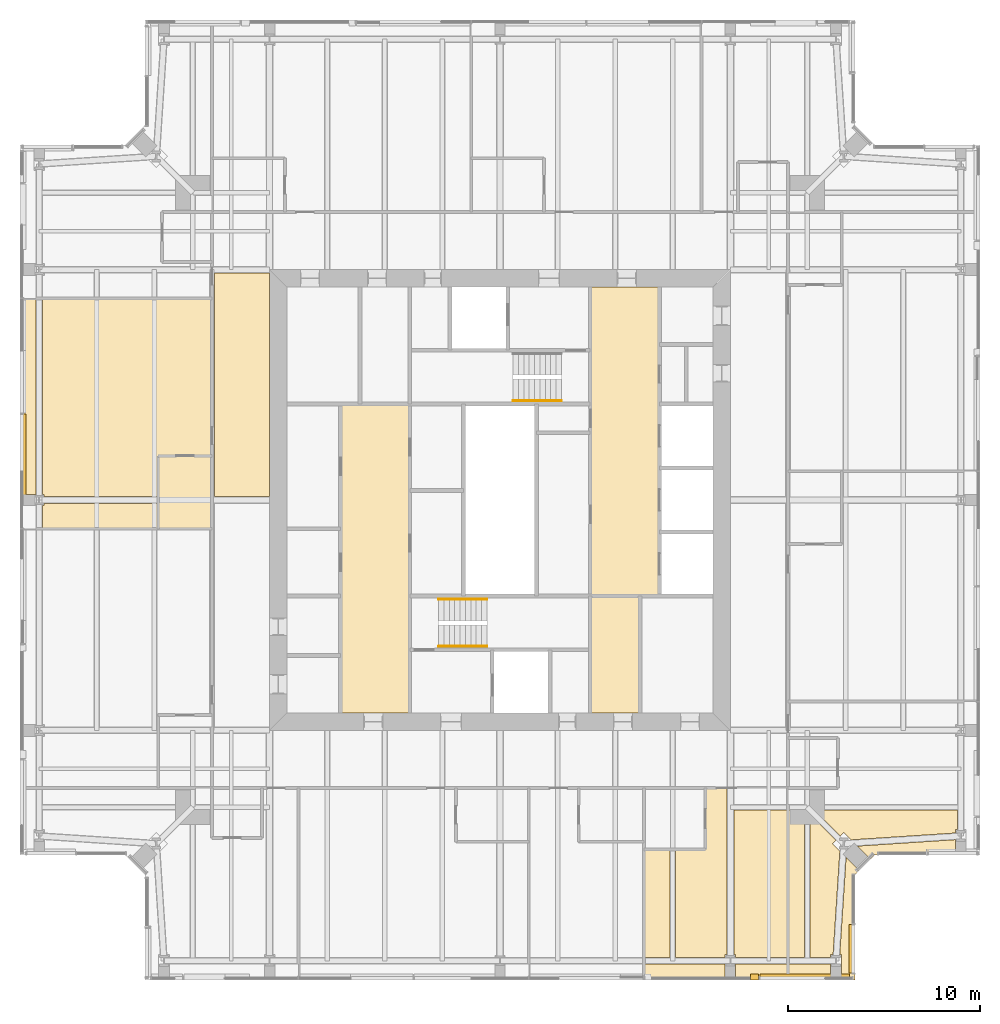
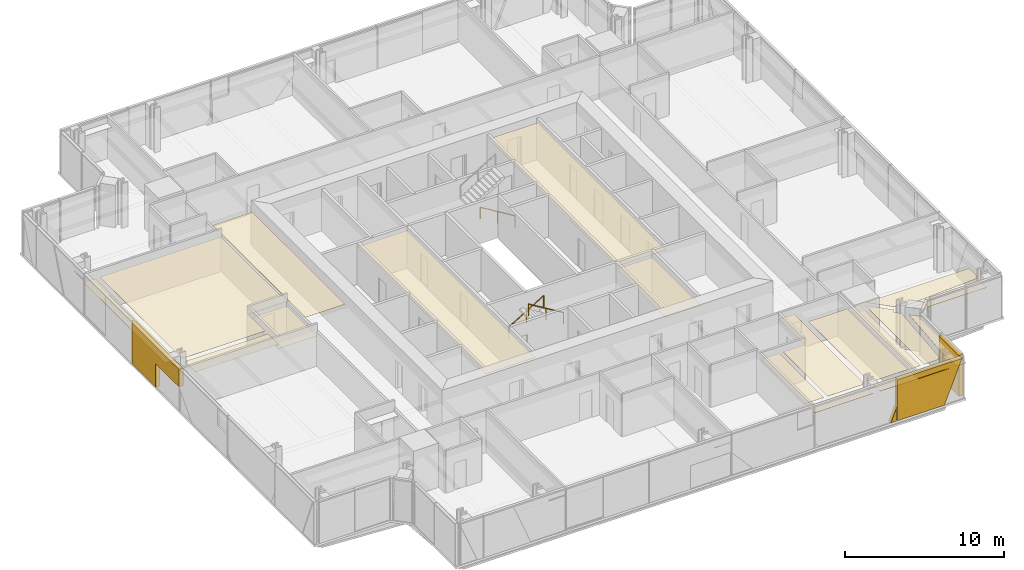
# One storey, part 16 of 20: 23 coverings, 3 railings.
"""IFC4 building model written with IfcOpenShell, lengths in metres."""

import ifcopenshell
import ifcopenshell.guid

model = None  # the IFC model being written
_history = None  # IfcOwnerHistory: only IFC2X3 demands one
_inside = {}  # id of a spatial element -> (the spatial element, [elements in it])
_under = {}  # id of a project, library or spatial element -> (it, [spatial elements below it])
_declared = {}  # id of a project -> (the project, [libraries it declares])
_typed = {}  # id of a type object -> (the type object, [elements of that type])
_made_of = {}  # id of a material, layer set ... -> (it, [elements and type objects made of it])


def new_model(schema):
    """Start an empty IFC model of exactly this schema.

    Asked for "IFC4X3", IfcOpenShell would pick the latest addendum, in which some entities
    have other attributes; the version numbers below select the first issue.
    IFC2X3 requires an IfcOwnerHistory on every rooted entity: one is made here for all.
    """
    global model, _history
    if schema == "IFC4X3":
        model = ifcopenshell.file(schema_version=(4, 3, 0, 0))
    else:
        model = ifcopenshell.file(schema=schema)
    _inside.clear()
    _under.clear()
    _declared.clear()
    _typed.clear()
    _made_of.clear()
    _history = None
    if model.schema == "IFC2X3":
        org = make("IfcOrganization", Name="unknown")
        user = make(
            "IfcPersonAndOrganization",
            ThePerson=make("IfcPerson", FamilyName="unknown"),
            TheOrganization=org,
        )
        app = make(
            "IfcApplication",
            ApplicationDeveloper=org,
            Version="unknown",
            ApplicationFullName="unknown",
            ApplicationIdentifier="unknown",
        )
        _history = make(
            "IfcOwnerHistory",
            OwningUser=user,
            OwningApplication=app,
            ChangeAction="ADDED",
            CreationDate=0,
        )
    return model


def make(cls, **values):
    """One entity of the class cls with the attributes given. An attribute that is None is left unset."""
    return model.create_entity(
        cls, **{name: value for name, value in values.items() if value is not None}
    )


def rooted(cls, **values):
    """An entity with a GlobalId (a new one), such as an element, a storey or a relation."""
    return make(cls, GlobalId=ifcopenshell.guid.new(), OwnerHistory=_history, **values)


def si_unit(unit_type, name, prefix=None):
    """IfcSIUnit, for example si_unit("LENGTHUNIT", "METRE", prefix="MILLI")."""
    return make("IfcSIUnit", UnitType=unit_type, Prefix=prefix, Name=name)


def assignment(units):
    """IfcUnitAssignment: the units of a project."""
    return None if units is None else make("IfcUnitAssignment", Units=units)


def point(xyz):
    """IfcCartesianPoint."""
    return None if xyz is None else make("IfcCartesianPoint", Coordinates=xyz)


def direction(xyz):
    """IfcDirection."""
    return None if xyz is None else make("IfcDirection", DirectionRatios=xyz)


def frame(location, z_axis=None, x_axis=None):
    """IfcAxis2Placement3D, a coordinate frame: its origin and axes. An axis left out is left unset."""
    return make(
        "IfcAxis2Placement3D",
        Location=point(location),
        Axis=direction(z_axis),
        RefDirection=direction(x_axis),
    )


def frame_2d(location, x_axis=None):
    """IfcAxis2Placement2D, a coordinate frame in the plane: its origin and x axis."""
    return make(
        "IfcAxis2Placement2D", Location=point(location), RefDirection=direction(x_axis)
    )


def origin():
    """The frame at (0, 0, 0) with its axes left unset."""
    return frame((0.0, 0.0, 0.0))


def origin_2d():
    """The frame at (0, 0) in the plane with its x axis left unset."""
    return frame_2d((0.0, 0.0))


def place(relative_to, where):
    """IfcLocalPlacement: puts the frame where relative to a parent placement (None: the world)."""
    return make(
        "IfcLocalPlacement", PlacementRelTo=relative_to, RelativePlacement=where
    )


def context(
    kind, dimensions, precision=None, world=None, true_north=None, identifier=None
):
    """IfcGeometricRepresentationContext, for example the 3D "Model" context."""
    return make(
        "IfcGeometricRepresentationContext",
        ContextIdentifier=identifier,
        ContextType=kind,
        CoordinateSpaceDimension=dimensions,
        Precision=precision,
        WorldCoordinateSystem=world,
        TrueNorth=true_north,
    )


def subcontext(parent, identifier, kind, view, scale=None):
    """IfcGeometricRepresentationSubContext, for example "Body" below "Model"."""
    return make(
        "IfcGeometricRepresentationSubContext",
        ContextIdentifier=identifier,
        ContextType=kind,
        ParentContext=parent,
        TargetScale=scale,
        TargetView=view,
    )


def project(units=None, contexts=None):
    """IfcProject with its units and contexts."""
    return rooted(
        "IfcProject",
        Name="project",
        RepresentationContexts=contexts,
        UnitsInContext=assignment(units),
    )


def spatial(cls, under=None, at=None, **own):
    """A site, building, storey or space (cls), placed at a placement, below another one or the project."""
    s = rooted(cls, ObjectPlacement=at, **own)
    if under is not None:
        _under.setdefault(under.id(), (under, []))[1].append(s)
    return s


def polyline(points):
    """IfcPolyline through the points."""
    return make("IfcPolyline", Points=[point(p) for p in points])


def profile(cls, at=None, kind="AREA", **sizes):
    """A parametric profile (cls). Its sizes go by their IFC names, for example OverallWidth=200.0."""
    return make(cls, ProfileType=kind, Position=at, **sizes)


def circle(**sizes):
    """IfcCircleProfileDef."""
    return profile("IfcCircleProfileDef", **sizes)


def outline(outer, holes=None, kind="AREA"):
    """IfcArbitraryClosedProfileDef: a profile drawn as a closed curve; with holes, ...WithVoids."""
    if holes is None:
        return make("IfcArbitraryClosedProfileDef", ProfileType=kind, OuterCurve=outer)
    return make(
        "IfcArbitraryProfileDefWithVoids",
        ProfileType=kind,
        OuterCurve=outer,
        InnerCurves=holes,
    )


def extrude(swept, where, along, depth):
    """IfcExtrudedAreaSolid: the profile swept, set in the frame where, extruded along a direction by depth."""
    return make(
        "IfcExtrudedAreaSolid",
        SweptArea=swept,
        Position=where,
        ExtrudedDirection=direction(along),
        Depth=depth,
    )


def shape(context_of_items, identifier, shape_type, items):
    """IfcShapeRepresentation: the items that make up one representation, for example the "Body"."""
    return make(
        "IfcShapeRepresentation",
        ContextOfItems=context_of_items,
        RepresentationIdentifier=identifier,
        RepresentationType=shape_type,
        Items=items,
    )


def material(Name=None, Category=None):
    """IfcMaterial."""
    return make("IfcMaterial", Name=Name, Category=Category)


def layer(
    of_material, thickness, ventilated=None, Name=None, Category=None, Priority=None
):
    """IfcMaterialLayer: one layer of a wall or slab, of a material (None: an air gap)."""
    return make(
        "IfcMaterialLayer",
        Material=of_material,
        LayerThickness=thickness,
        IsVentilated=ventilated,
        Name=Name,
        Category=Category,
        Priority=Priority,
    )


def layer_set(layers, Name=None):
    """IfcMaterialLayerSet."""
    return make("IfcMaterialLayerSet", MaterialLayers=layers, LayerSetName=Name)


def made_of(thing, what):
    """Note that an element or type object is made of a material, layer set ...; save() writes the relation."""
    if what is not None:
        _made_of.setdefault(what.id(), (what, []))[1].append(thing)
    return thing


def type_object(cls, material=None, **own):
    """A type object (cls), such as IfcWallType, which elements share."""
    return made_of(rooted(cls, **own), material)


def element(
    cls,
    number,
    at=None,
    inside=None,
    cuts=None,
    type_object=None,
    material=None,
    context=None,
    identifier="Body",
    shape_type=None,
    held_by="IfcProductDefinitionShape",
    body=None,
    shapes=None,
    **own,
):
    """One element of the class cls, such as IfcWall. Its Tag is "e" and its number.

    at: its placement. inside: the storey or other place that contains it. cuts: it is an
    opening in that element (IfcRelVoidsElement). A single representation is given by context,
    identifier, shape_type and body (its items); several are given by shapes. held_by: the class
    of the entity that holds the representations. save() writes the other relations.
    """
    e = rooted(cls, Tag="e%d" % number, ObjectPlacement=at, **own)
    if body is not None:
        shapes = [shape(context, identifier, shape_type, body)]
    if shapes is not None:
        e.Representation = make(held_by, Representations=shapes)
    if inside is not None:
        _inside.setdefault(inside.id(), (inside, []))[1].append(e)
    if cuts is not None:
        rooted(
            "IfcRelVoidsElement", RelatingBuildingElement=cuts, RelatedOpeningElement=e
        )
    if type_object is not None:
        _typed.setdefault(type_object.id(), (type_object, []))[1].append(e)
    return made_of(e, material)


def aggregate(whole, parts):
    """IfcRelAggregates: a whole, such as a stair, and the parts it consists of."""
    return rooted("IfcRelAggregates", RelatingObject=whole, RelatedObjects=parts)


def save(model, path):
    """Write the relations noted so far, then the file.

    IfcRelAggregates (storeys below a building ...), IfcRelContainedInSpatialStructure (elements
    in a storey), IfcRelDefinesByType, IfcRelAssociatesMaterial and IfcRelDeclares: one each for
    every whole, place, type object, material and project.
    """
    for whole, parts in _under.values():
        aggregate(whole, parts)
    for where, things in _inside.values():
        rooted(
            "IfcRelContainedInSpatialStructure",
            RelatedElements=things,
            RelatingStructure=where,
        )
    for kind, things in _typed.values():
        rooted("IfcRelDefinesByType", RelatedObjects=things, RelatingType=kind)
    for what, things in _made_of.values():
        rooted("IfcRelAssociatesMaterial", RelatedObjects=things, RelatingMaterial=what)
    for by, libraries in _declared.values():
        rooted("IfcRelDeclares", RelatingContext=by, RelatedDefinitions=libraries)
    model.write(path)


model = new_model("IFC4")

# Units and contexts
model_context = context("Model", 3, precision=1e-05, world=origin(), true_north=direction((0.0, 1.0)))
body_context = subcontext(model_context, "Body", "Model", "MODEL_VIEW")
ifc_project = project(units=[si_unit("LENGTHUNIT", "METRE"), si_unit("AREAUNIT", "SQUARE_METRE"), si_unit("VOLUMEUNIT", "CUBIC_METRE"), si_unit("PLANEANGLEUNIT", "RADIAN"), si_unit("MASSUNIT", "GRAM", prefix="KILO")], contexts=[model_context])

# Site, building, storey
site_placement = place(None, origin())
site = spatial("IfcSite", under=ifc_project, at=site_placement, CompositionType="ELEMENT")
building_placement = place(site_placement, origin())
building = spatial("IfcBuilding", under=site, at=building_placement, Name="Fenwick Lantern Interchange", CompositionType="ELEMENT")
storey_placement = place(building_placement, frame((0.0, 0.0, 276.39990234375)))
storey = spatial("IfcBuildingStorey", under=building, at=storey_placement, Name="L66", CompositionType="ELEMENT", Elevation=276.39990234375)

# Coverings
ifc_material_1 = material(Name="Granite cladding, warm grey flamed finish, on aluminium carrier frame", Category="masonry")
ifc_layer_1 = layer(ifc_material_1, 0.300048828125)
ifc_layer_set_1 = layer_set([ifc_layer_1], Name="BRACE CASING PANEL 300")
covering_type_1 = type_object("IfcCoveringType", Name="BRACE CASING PANEL 300", PredefinedType="CLADDING", material=ifc_layer_set_1)
covering_1_placement = place(storey_placement, frame((6.60009765625, 0.10009765625, 0.0), z_axis=(0.0, 0.0, 1.0), x_axis=(1.0, 0.0, 0.0)))
element("IfcCovering", 1, at=covering_1_placement, inside=storey, type_object=covering_type_1, Name="Brace casing 01 bay 05b", PredefinedType="CLADDING", context=body_context, shape_type="SweptSolid", body=[
    extrude(outline(polyline([(31.453369140625, 0.0), (31.8701171875, 0.0), (31.8701171875, 1.030029296875), (31.453369140625, 0.0)])), frame((0.0, 0.2099609375, 0.0), z_axis=(0.0, -1.0, 0.0), x_axis=(1.0, 0.0, 0.0)), (0.0, 0.0, 1.0), 0.300048828125),
])
covering_2_placement = place(storey_placement, frame((6.60009765625, 0.10009765625, 0.0), z_axis=(0.0, 0.0, 1.0), x_axis=(1.0, 0.0, 0.0)))
element("IfcCovering", 2, at=covering_2_placement, inside=storey, type_object=covering_type_1, Name="Brace casing 01 bay 06a", PredefinedType="CLADDING", context=body_context, shape_type="SweptSolid", body=[
    extrude(outline(polyline([(31.929931640625, 0.0), (35.336669921875, 0.0), (36.610595703125, 3.150146484375), (31.929931640625, 3.150146484375), (31.929931640625, 0.0)])), frame((0.0, 0.2099609375, 0.0), z_axis=(0.0, -1.0, 0.0), x_axis=(1.0, 0.0, 0.0)), (0.0, 0.0, 1.0), 0.300048828125),
])
covering_3_placement = place(storey_placement, frame((43.39990234375, 0.10009765625, 0.0), z_axis=(0.0, 0.0, 1.0), x_axis=(0.0, 1.0, 0.0)))
element("IfcCovering", 3, at=covering_3_placement, inside=storey, type_object=covering_type_1, Name="Brace casing 02 bay 00a", PredefinedType="CLADDING", context=body_context, shape_type="SweptSolid", body=[
    extrude(outline(polyline([(0.260009765625, 0.0), (2.790771484375, 0.0), (2.790771484375, 3.150146484375), (0.260009765625, 3.150146484375), (0.260009765625, 0.0)])), frame((0.0, 0.2099609375, 0.0), z_axis=(0.0, -1.0, 0.0), x_axis=(1.0, 0.0, 0.0)), (0.0, 0.0, 1.0), 0.300048828125),
])
covering_4_placement = place(storey_placement, frame((0.10009765625, 43.39990234375, 0.0), z_axis=(0.0, 0.0, 1.0), x_axis=(0.0, -1.0, 0.0)))
element("IfcCovering", 4, at=covering_4_placement, inside=storey, type_object=covering_type_1, Name="Brace casing 13 bay 03a", PredefinedType="CLADDING", context=body_context, shape_type="SweptSolid", body=[
    extrude(outline(polyline([(13.929931640625, 0.0), (16.93017578125, 0.0), (16.93017578125, 1.8076171875), (19.8701171875, 1.8076171875), (19.8701171875, 3.150146484375), (13.929931640625, 3.150146484375), (13.929931640625, 0.0)])), frame((0.0, 0.2099609375, 0.0), z_axis=(0.0, -1.0, 0.0), x_axis=(1.0, 0.0, 0.0)), (0.0, 0.0, 1.0), 0.300048828125),
])

# Railings
ifc_material_2 = material(Name="Stainless steel handrail", Category="steel")
railing_type = type_object("IfcRailingType", Name="HANDRAIL 900", PredefinedType="HANDRAIL", material=ifc_material_2)
railing_placement = place(storey_placement, frame((21.800048828125, 19.825927734375, 0.170166015625)))
element("IfcRailing", 5, at=railing_placement, inside=storey, type_object=railing_type, Name="L66/STAIR/ST1/HR1", PredefinedType="HANDRAIL", context=body_context, shape_type="SweptSolid", body=[
    extrude(circle(Radius=0.02392578125, at=origin_2d()), frame((0.0, 0.0, 0.8759765625), z_axis=(0.85478489116, 0.0, 0.518982456201), x_axis=(0.0, 1.0, 0.0)), (0.0, 0.0, 1.0), 2.9482421875),
    extrude(circle(Radius=0.02099609375, at=origin_2d()), origin(), (0.0, 0.0, 1.0), 0.851806640625),
    extrude(circle(Radius=0.02099609375, at=origin_2d()), frame((1.260009765625, 0.0, 0.76513671875)), (0.0, 0.0, 1.0), 0.851806640625),
    extrude(circle(Radius=0.02099609375, at=origin_2d()), frame((2.52001953125, 0.0, 1.530029296875)), (0.0, 0.0, 1.0), 0.851806640625),
])
for number, where, name in (
    (6, (24.320068359375, 17.3740234375, 1.8701171875), "L66/STAIR/ST1/HR2"),
    (7, (28.199951171875, 30.174072265625, 0.170166015625), "L66/STAIR/ST2/HR1"),
):
    element("IfcRailing", number, at=place(storey_placement, frame(where)), inside=storey, type_object=railing_type, Name=name, PredefinedType="HANDRAIL", context=body_context, shape_type="SweptSolid", body=[
        extrude(circle(Radius=0.02392578125, at=origin_2d()), frame((0.0, 0.0, 0.8759765625), z_axis=(-0.85478489116, 0.0, 0.518982456201), x_axis=(0.0, -1.0, 0.0)), (0.0, 0.0, 1.0), 2.9482421875),
        extrude(circle(Radius=0.02099609375, at=origin_2d()), origin(), (0.0, 0.0, 1.0), 0.851806640625),
        extrude(circle(Radius=0.02099609375, at=origin_2d()), frame((-1.260009765625, 0.0, 0.76513671875)), (0.0, 0.0, 1.0), 0.851806640625),
        extrude(circle(Radius=0.02099609375, at=origin_2d()), frame((-2.52001953125, 0.0, 1.530029296875)), (0.0, 0.0, 1.0), 0.851806640625),
    ])

# Coverings
ifc_material_3 = material(Name="Moisture resistant gypsum board on suspended frame, painted")
ifc_layer_2 = layer(ifc_material_3, 0.014892578125)
ifc_layer_set_2 = layer_set([ifc_layer_2], Name="MOISTURE RESISTANT CEILING 15")
covering_type_2 = type_object("IfcCoveringType", Name="MOISTURE RESISTANT CEILING 15", PredefinedType="CEILING", material=ifc_layer_set_2)
covering_5_placement = place(storey_placement, frame((0.0, 0.0, 2.60009765625)))
element("IfcCovering", 8, at=covering_5_placement, inside=storey, type_object=covering_type_2, Name="Men's WC ceiling", PredefinedType="CEILING", context=body_context, shape_type="SweptSolid", body=[
    extrude(outline(polyline([(29.699951171875, 13.89990234375), (32.300048828125, 13.89990234375), (32.300048828125, 20.0), (29.699951171875, 20.0), (29.699951171875, 13.89990234375)])), origin(), (0.0, 0.0, 1.0), 0.014892578125),
])
covering_6_placement = place(storey_placement, frame((0.0, 0.0, 2.235107421875)))
element("IfcCovering", 9, at=covering_6_placement, inside=storey, type_object=covering_type_2, Name="En-suite 6612 ceiling", PredefinedType="CEILING", context=body_context, shape_type="SweptSolid", body=[
    extrude(outline(polyline([(7.199951171875, 27.300048828125), (7.199951171875, 23.5), (10.0, 23.5), (10.0, 27.300048828125), (7.199951171875, 27.300048828125)])), origin(), (0.0, 0.0, 1.0), 0.01513671875),
])
ifc_material_4 = material(Name="Gypsum plasterboard on suspended frame, painted")
ifc_layer_3 = layer(ifc_material_4, 0.014892578125)
ifc_layer_set_3 = layer_set([ifc_layer_3], Name="PLASTERBOARD CEILING 15")
covering_type_3 = type_object("IfcCoveringType", Name="PLASTERBOARD CEILING 15", PredefinedType="CEILING", material=ifc_layer_set_3)
covering_7_placement = place(storey_placement, frame((0.0, 0.0, 2.800048828125)))
element("IfcCovering", 10, at=covering_7_placement, inside=storey, type_object=covering_type_3, Name="Lift lobby ceiling", PredefinedType="CEILING", context=body_context, shape_type="SweptSolid", body=[
    extrude(outline(polyline([(16.699951171875, 13.89990234375), (20.300048828125, 13.89990234375), (20.300048828125, 30.0), (16.699951171875, 30.0), (16.699951171875, 13.89990234375)])), origin(), (0.0, 0.0, 1.0), 0.01513671875),
])
covering_8_placement = place(storey_placement, frame((0.0, 0.0, 2.800048828125)))
element("IfcCovering", 11, at=covering_8_placement, inside=storey, type_object=covering_type_3, Name="Lift lobby ceiling", PredefinedType="CEILING", context=body_context, shape_type="SweptSolid", body=[
    extrude(outline(polyline([(33.300048828125, 36.10009765625), (29.699951171875, 36.10009765625), (29.699951171875, 20.0), (33.300048828125, 20.0), (33.300048828125, 36.10009765625)])), origin(), (0.0, 0.0, 1.0), 0.01513671875),
])
covering_9_placement = place(storey_placement, frame((0.0, 0.0, 2.60009765625)))
element("IfcCovering", 12, at=covering_9_placement, inside=storey, type_object=covering_type_3, Name="Corridor ceiling", PredefinedType="CEILING", context=body_context, shape_type="SweptSolid", body=[
    extrude(outline(polyline([(13.0, 25.175048828125), (13.0, 36.833984375), (10.134521484375, 36.833984375), (10.134521484375, 25.175048828125), (13.0, 25.175048828125)])), origin(), (0.0, 0.0, 1.0), 0.014892578125),
])
covering_10_placement = place(storey_placement, frame((0.0, 0.0, 2.7001953125)))
element("IfcCovering", 13, at=covering_10_placement, inside=storey, type_object=covering_type_3, Name="Guest room 6604 ceiling", PredefinedType="CEILING", context=body_context, shape_type="SweptSolid", body=[
    extrude(outline(polyline([(37.27099609375, 1.3154296875), (37.27099609375, 1.17236328125), (40.0, 1.17236328125), (40.0, 8.865478515625), (37.183837890625, 8.865478515625), (37.183837890625, 1.3154296875), (37.27099609375, 1.3154296875)])), origin(), (0.0, 0.0, 1.0), 0.014892578125),
])
covering_11_placement = place(storey_placement, frame((0.0, 0.0, 2.7001953125)))
element("IfcCovering", 14, at=covering_11_placement, inside=storey, type_object=covering_type_3, Name="Guest room 6604 ceiling", PredefinedType="CEILING", context=body_context, shape_type="SweptSolid", body=[
    extrude(outline(polyline([(36.72900390625, 1.3154296875), (36.816162109375, 1.3154296875), (36.816162109375, 10.0), (35.699951171875, 10.0), (35.699951171875, 6.800048828125), (34.134521484375, 6.800048828125), (34.134521484375, 1.17236328125), (36.72900390625, 1.17236328125), (36.72900390625, 1.3154296875)])), origin(), (0.0, 0.0, 1.0), 0.014892578125),
])
covering_12_placement = place(storey_placement, frame((0.0, 0.0, 2.7001953125)))
element("IfcCovering", 15, at=covering_12_placement, inside=storey, type_object=covering_type_3, Name="Guest room 6604 ceiling", PredefinedType="CEILING", context=body_context, shape_type="SweptSolid", body=[
    extrude(outline(polyline([(32.5, 6.800048828125), (32.5, 1.17236328125), (33.865478515625, 1.17236328125), (33.865478515625, 6.800048828125), (32.5, 6.800048828125)])), origin(), (0.0, 0.0, 1.0), 0.014892578125),
])
covering_13_placement = place(storey_placement, frame((0.0, 0.0, 2.7001953125)))
element("IfcCovering", 16, at=covering_13_placement, inside=storey, type_object=covering_type_3, Name="Guest room 6604 ceiling", PredefinedType="CEILING", context=body_context, shape_type="SweptSolid", body=[
    extrude(outline(polyline([(36.72900390625, 0.0), (36.72900390625, 0.82763671875), (32.5, 0.82763671875), (32.5, 0.0), (36.72900390625, 0.0)])), origin(), (0.0, 0.0, 1.0), 0.014892578125),
])
covering_14_placement = place(storey_placement, frame((0.0, 0.0, 2.7001953125)))
element("IfcCovering", 17, at=covering_14_placement, inside=storey, type_object=covering_type_3, Name="Guest room 6604 ceiling", PredefinedType="CEILING", context=body_context, shape_type="SweptSolid", body=[
    extrude(outline(polyline([(37.27099609375, 0.0), (40.0, 0.0), (40.0, 0.82763671875), (37.27099609375, 0.82763671875), (37.27099609375, 0.0)])), origin(), (0.0, 0.0, 1.0), 0.014892578125),
])
covering_15_placement = place(storey_placement, frame((0.0, 0.0, 2.7001953125)))
element("IfcCovering", 18, at=covering_15_placement, inside=storey, type_object=covering_type_3, Name="Guest suite 6605 ceiling", PredefinedType="CEILING", context=body_context, shape_type="SweptSolid", body=[
    extrude(outline(polyline([(48.72265625, 7.83447265625), (48.82763671875, 7.83447265625), (48.82763671875, 8.865478515625), (41.351318359375, 8.865478515625), (42.71728515625, 7.499755859375), (42.89990234375, 7.6826171875), (43.284423828125, 7.298095703125), (48.72265625, 7.654541015625), (48.72265625, 7.83447265625)])), origin(), (0.0, 0.0, 1.0), 0.014892578125),
])
covering_16_placement = place(storey_placement, frame((0.0, 0.0, 2.7001953125)))
element("IfcCovering", 19, at=covering_16_placement, inside=storey, type_object=covering_type_3, Name="Guest suite 6605 ceiling", PredefinedType="CEILING", context=body_context, shape_type="SweptSolid", body=[
    extrude(outline(polyline([(42.22265625, 1.33447265625), (42.34912109375, 1.33447265625), (42.701904296875, 6.715576171875), (42.3173828125, 7.10009765625), (42.500244140625, 7.28271484375), (41.134521484375, 8.648681640625), (41.134521484375, 1.17236328125), (42.22265625, 1.17236328125), (42.22265625, 1.33447265625)])), origin(), (0.0, 0.0, 1.0), 0.014892578125),
])
covering_17_placement = place(storey_placement, frame((0.0, 0.0, 2.7001953125)))
element("IfcCovering", 20, at=covering_17_placement, inside=storey, type_object=covering_type_3, Name="Guest suite 6605 ceiling", PredefinedType="CEILING", context=body_context, shape_type="SweptSolid", body=[
    extrude(outline(polyline([(40.0, 8.865478515625), (40.0, 1.17236328125), (40.865478515625, 1.17236328125), (40.865478515625, 8.865478515625), (40.0, 8.865478515625)])), origin(), (0.0, 0.0, 1.0), 0.014892578125),
])
covering_18_placement = place(storey_placement, frame((0.0, 0.0, 2.7001953125)))
element("IfcCovering", 21, at=covering_18_placement, inside=storey, type_object=covering_type_3, Name="Guest suite 6605 ceiling", PredefinedType="CEILING", context=body_context, shape_type="SweptSolid", body=[
    extrude(outline(polyline([(42.69482421875, 1.33447265625), (42.77734375, 1.33447265625), (42.77734375, 0.0), (43.5, 0.0), (43.5, 5.5), (43.708740234375, 5.708740234375), (43.0263671875, 6.39111328125), (42.69482421875, 1.33447265625)])), origin(), (0.0, 0.0, 1.0), 0.014892578125),
])
covering_19_placement = place(storey_placement, frame((0.0, 0.0, 2.7001953125)))
element("IfcCovering", 22, at=covering_19_placement, inside=storey, type_object=covering_type_3, Name="Guest suite 6605 ceiling", PredefinedType="CEILING", context=body_context, shape_type="SweptSolid", body=[
    extrude(outline(polyline([(48.72265625, 6.5), (48.72265625, 7.30908203125), (43.60888671875, 6.9736328125), (44.291259765625, 6.291259765625), (44.5, 6.5), (48.72265625, 6.5)])), origin(), (0.0, 0.0, 1.0), 0.014892578125),
])
covering_20_placement = place(storey_placement, frame((0.0, 0.0, 2.7001953125)))
element("IfcCovering", 23, at=covering_20_placement, inside=storey, type_object=covering_type_3, Name="Guest suite 6605 ceiling", PredefinedType="CEILING", context=body_context, shape_type="SweptSolid", body=[
    extrude(outline(polyline([(42.22265625, 0.0), (42.22265625, 0.82763671875), (40.0, 0.82763671875), (40.0, 0.0), (42.22265625, 0.0)])), origin(), (0.0, 0.0, 1.0), 0.014892578125),
])
covering_21_placement = place(storey_placement, frame((0.0, 0.0, 2.572998046875)))
element("IfcCovering", 24, at=covering_21_placement, inside=storey, type_object=covering_type_3, Name="Guest suite 6612 ceiling", PredefinedType="CEILING", context=body_context, shape_type="SweptSolid", body=[
    extrude(outline(polyline([(1.26220703125, 25.28759765625), (1.26220703125, 25.175048828125), (7.199951171875, 25.175048828125), (7.199951171875, 27.300048828125), (10.0, 27.300048828125), (10.0, 35.5), (1.17236328125, 35.5), (1.17236328125, 25.28759765625), (1.26220703125, 25.28759765625)])), origin(), (0.0, 0.0, 1.0), 0.014892578125),
])
covering_22_placement = place(storey_placement, frame((0.0, 0.0, 2.572998046875)))
element("IfcCovering", 25, at=covering_22_placement, inside=storey, type_object=covering_type_3, Name="Guest suite 6612 ceiling", PredefinedType="CEILING", context=body_context, shape_type="SweptSolid", body=[
    extrude(outline(polyline([(0.0, 25.28759765625), (0.82763671875, 25.28759765625), (0.82763671875, 35.5), (0.0, 35.5), (0.0, 25.28759765625)])), origin(), (0.0, 0.0, 1.0), 0.014892578125),
])
covering_23_placement = place(storey_placement, frame((0.0, 0.0, 2.572998046875)))
element("IfcCovering", 26, at=covering_23_placement, inside=storey, type_object=covering_type_3, Name="Guest suite 6612 ceiling", PredefinedType="CEILING", context=body_context, shape_type="SweptSolid", body=[
    extrude(outline(polyline([(1.26220703125, 24.71240234375), (1.17236328125, 24.71240234375), (1.17236328125, 23.5), (7.199951171875, 23.5), (7.199951171875, 24.824951171875), (1.26220703125, 24.824951171875), (1.26220703125, 24.71240234375)])), origin(), (0.0, 0.0, 1.0), 0.014892578125),
])

save(model, "model.ifc")
